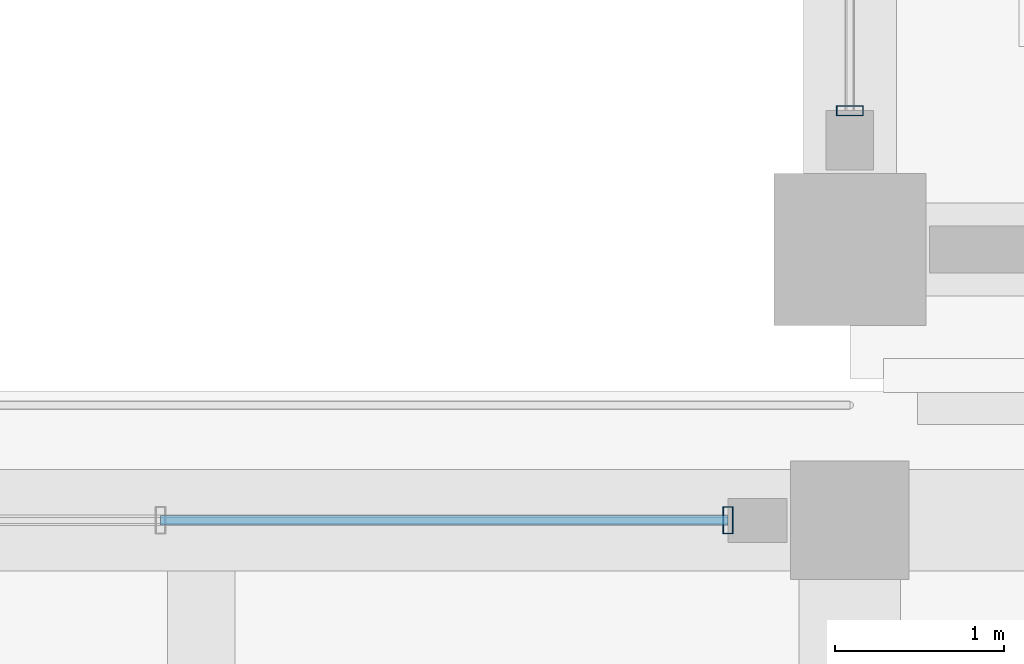
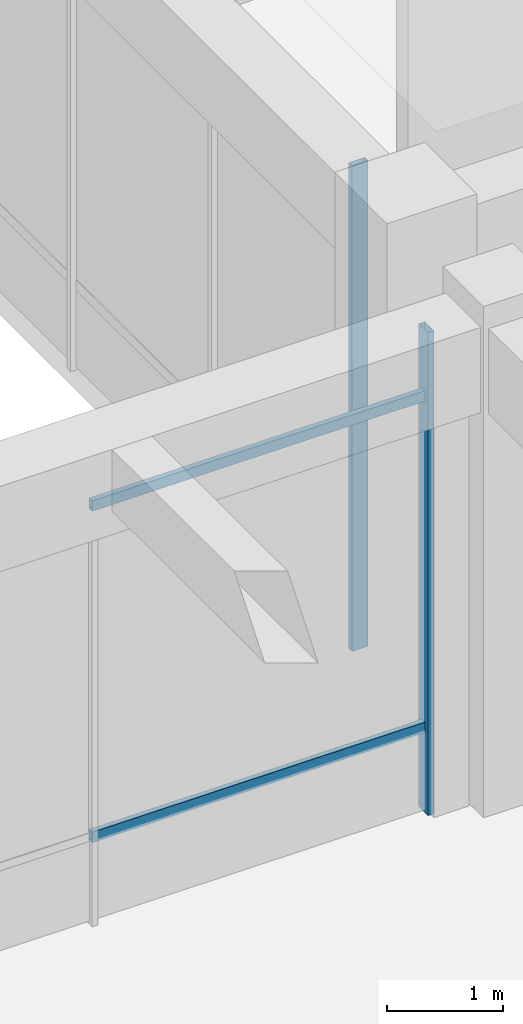
# One storey, part 74 of 148: 4 members, 2 elements without a shape of their own.
"""IFC4 building model written with IfcOpenShell, lengths in metres."""

from ifc_helpers import new_model, si_unit, direction, frame, origin, origin_2d, place, context, subcontext, project, spatial, hollow_rectangle, extrude, material, material_profile, profile_set, type_object, element, aggregate, save


model = new_model("IFC4")

# Units and contexts
model_context = context("Model", 3, precision=1e-05, world=origin(), true_north=direction((0.0, 1.0)))
body_context = subcontext(model_context, "Body", "Model", "MODEL_VIEW")
ifc_project = project(units=[si_unit("LENGTHUNIT", "METRE"), si_unit("AREAUNIT", "SQUARE_METRE"), si_unit("VOLUMEUNIT", "CUBIC_METRE"), si_unit("PLANEANGLEUNIT", "RADIAN"), si_unit("MASSUNIT", "GRAM", prefix="KILO")], contexts=[model_context])

# Site, building, storey
site_placement = place(None, origin())
site = spatial("IfcSite", under=ifc_project, at=site_placement, CompositionType="ELEMENT")
building_placement = place(site_placement, origin())
building = spatial("IfcBuilding", under=site, at=building_placement, Name="Ologun Quay Terminus", CompositionType="ELEMENT")
storey_placement = place(building_placement, frame((0.0, 0.0, 8.39990234375)))
storey = spatial("IfcBuildingStorey", under=building, at=storey_placement, Name="L02", CompositionType="ELEMENT", Elevation=8.39990234375)

# Curtain wall, member
ifc_material_1 = material(Name="Aluminium 6063-T6", Category="aluminium")
curtain_wall_type_1 = type_object("IfcCurtainWallType", Name="Courtyard Overlook Concourse Curtain Wall 10700x4750", PredefinedType="USERDEFINED", material=ifc_material_1)
curtain_wall_1_placement = place(storey_placement, origin())
curtain_wall_1 = element("IfcCurtainWall", 1, at=curtain_wall_1_placement, inside=storey, type_object=curtain_wall_type_1, Name="CW-12 Curtain Wall CW-L02-083", ObjectType="UNITISED CURTAIN WALL", PredefinedType="USERDEFINED")
ifc_material_2 = material(Name="Aluminium 6063-T6", Category="aluminium")
ifc_material_profile_1 = material_profile(ifc_material_2, hollow_rectangle(XDim=0.06005859375, YDim=0.159912109375, WallThickness=0.00390625, at=origin_2d()), Name="ALU 160x60x4")
ifc_profile_set_1 = profile_set([ifc_material_profile_1], Name="Aluminium 6063-T6")
member_type_1 = type_object("IfcMemberType", Name="Courtyard Screen Mullion 160x65", PredefinedType="MULLION", material=ifc_profile_set_1)
member_1_placement = place(storey_placement, frame((114.280029296875, 84.199951171875, 0.0), z_axis=(0.0, 0.0, 1.0), x_axis=(1.0, 0.0, 0.0)))
member_1 = element("IfcMember", 2, at=member_1_placement, type_object=member_type_1, Name="CW-L02-083 Mullion 4", PredefinedType="MULLION", context=body_context, shape_type="SweptSolid", body=[
    extrude(hollow_rectangle(XDim=0.06005859375, YDim=0.159912109375, WallThickness=0.00390625, at=origin_2d()), origin(), (0.0, 0.0, 1.0), 5.10009765625),
])

ifc_material_3 = material(Name="Aluminium 6063-T6", Category="aluminium")
curtain_wall_type_2 = type_object("IfcCurtainWallType", Name="Rain-Garden East Courtyard Curtain Wall L02 9200x5000", PredefinedType="USERDEFINED", material=ifc_material_3)
curtain_wall_2_placement = place(storey_placement, origin())
curtain_wall_2 = element("IfcCurtainWall", 3, at=curtain_wall_2_placement, inside=storey, type_object=curtain_wall_type_2, Name="CW-19 Curtain Wall CW-L02-135", ObjectType="UNITISED CURTAIN WALL", PredefinedType="USERDEFINED")
member_2_placement = place(storey_placement, frame((115.0, 86.6201171875, 0.0), z_axis=(0.0, 0.0, 1.0), x_axis=(0.0, 1.0, 0.0)))
member_2 = element("IfcMember", 4, at=member_2_placement, type_object=member_type_1, Name="CW-L02-135 Mullion 1", PredefinedType="MULLION", context=body_context, shape_type="SweptSolid", body=[
    extrude(hollow_rectangle(XDim=0.06005859375, YDim=0.159912109375, WallThickness=0.00390625, at=origin_2d()), origin(), (0.0, 0.0, 1.0), 5.130126953125),
])
aggregate(curtain_wall_2, [member_2])

# Member
ifc_material_4 = material(Name="Aluminium 6063-T6", Category="aluminium")
ifc_material_profile_2 = material_profile(ifc_material_4, hollow_rectangle(XDim=0.054931640625, YDim=0.110107421875, WallThickness=0.00390625, at=origin_2d()), Name="ALU 110x55x4")
ifc_profile_set_2 = profile_set([ifc_material_profile_2], Name="Aluminium 6063-T6")
member_type_2 = type_object("IfcMemberType", Name="Courtyard Screen Transom 110x55", PredefinedType="USERDEFINED", material=ifc_profile_set_2)
member_3_placement = place(storey_placement, frame((110.9267578125, 84.199951171875, 0.900146484375), z_axis=(1.0, 0.0, 0.0), x_axis=(0.0, 1.0, 0.0)))
member_3 = element("IfcMember", 5, at=member_3_placement, type_object=member_type_2, Name="CW-L02-083 Transom B3-1", ObjectType="TRANSOM", PredefinedType="USERDEFINED", context=body_context, shape_type="SweptSolid", body=[
    extrude(hollow_rectangle(XDim=0.054931640625, YDim=0.110107421875, WallThickness=0.00390625, at=origin_2d()), origin(), (0.0, 0.0, 1.0), 3.353271484375),
])

member_4_placement = place(storey_placement, frame((110.9267578125, 84.199951171875, 4.400146484375), z_axis=(1.0, 0.0, 0.0), x_axis=(0.0, 1.0, 0.0)))
member_4 = element("IfcMember", 6, at=member_4_placement, type_object=member_type_2, Name="CW-L02-083 Transom B3-2", ObjectType="TRANSOM", PredefinedType="USERDEFINED", context=body_context, shape_type="SweptSolid", body=[
    extrude(hollow_rectangle(XDim=0.054931640625, YDim=0.110107421875, WallThickness=0.00390625, at=origin_2d()), origin(), (0.0, 0.0, 1.0), 3.353271484375),
])

aggregate(curtain_wall_1, [member_1, member_3, member_4])

save(model, "model.ifc")
